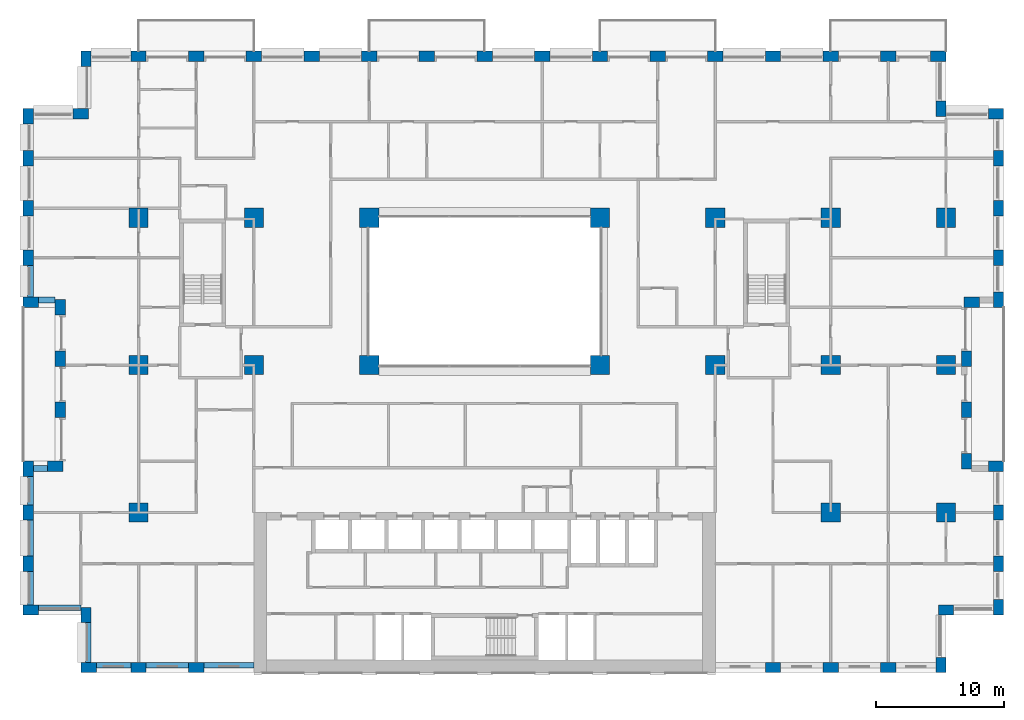
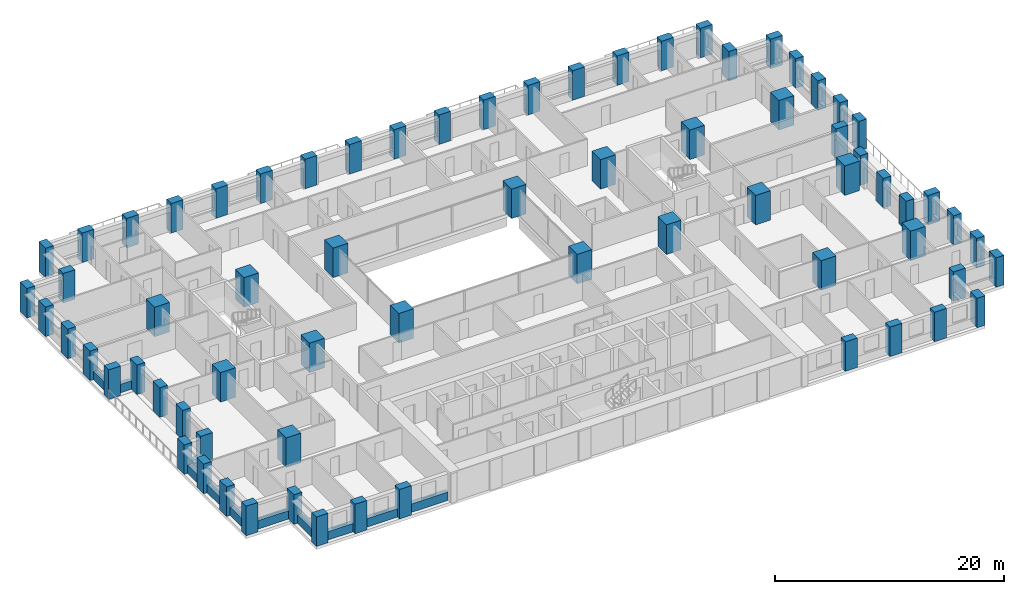
# One storey, part 1 of 19: 70 columns, 11 beams.
"""IFC4 building model written with IfcOpenShell, lengths in metres."""

from ifc_helpers import new_model, si_unit, direction, frame, origin, origin_2d, place, context, subcontext, project, spatial, rectangle, extrude, material, material_profile, profile_set, type_object, element, save


model = new_model("IFC4")

# Units and contexts
model_context = context("Model", 3, precision=1e-05, world=origin(), true_north=direction((0.0, 1.0)))
body_context = subcontext(model_context, "Body", "Model", "MODEL_VIEW")
ifc_project = project(units=[si_unit("LENGTHUNIT", "METRE"), si_unit("AREAUNIT", "SQUARE_METRE"), si_unit("VOLUMEUNIT", "CUBIC_METRE"), si_unit("PLANEANGLEUNIT", "RADIAN"), si_unit("MASSUNIT", "GRAM", prefix="KILO")], contexts=[model_context])

# Site, building, storey
site_placement = place(None, origin())
site = spatial("IfcSite", under=ifc_project, at=site_placement, CompositionType="ELEMENT")
building_placement = place(site_placement, origin())
building = spatial("IfcBuilding", under=site, at=building_placement, Name="Brigalow Station Residences", CompositionType="ELEMENT")
storey_placement = place(building_placement, frame((0.0, 0.0, 32.10009765625)))
storey = spatial("IfcBuildingStorey", under=building, at=storey_placement, Name="L08", CompositionType="ELEMENT", Elevation=32.10009765625)

# Columns
ifc_material_1 = material(Name="Concrete C80", Category="concrete")
ifc_material_profile_1 = material_profile(ifc_material_1, rectangle(XDim=1.5, YDim=1.5, at=origin_2d()), Name="RC1500x1500")
ifc_profile_set_1 = profile_set([ifc_material_profile_1], Name="Concrete C80")
column_type_1 = type_object("IfcColumnType", Name="COLUMN 1500x1500 C80", PredefinedType="COLUMN", material=ifc_profile_set_1)
for number, where, z_axis, x_axis, name in (
    (1, (9.0, 24.0, 0.0), (0.0, 0.0, 1.0), (1.0, 0.0, 0.0), "COLUMN C1 L08"),
    (2, (18.0, 24.0, 0.0), (0.0, 0.0, 1.0), (1.0, 0.0, 0.0), "COLUMN C2 L08"),
    (3, (27.0, 24.0, 0.0), (0.0, 0.0, 1.0), (1.0, 0.0, 0.0), "COLUMN C3 L08"),
    (4, (45.0, 24.0, 0.0), (0.0, 0.0, 1.0), (1.0, 0.0, 0.0), "COLUMN C5 L08"),
    (5, (54.0, 24.0, 0.0), (0.0, 0.0, 1.0), (1.0, 0.0, 0.0), "COLUMN C6 L08"),
    (6, (63.0, 24.0, 0.0), (0.0, 0.0, 1.0), (1.0, 0.0, 0.0), "COLUMN C7 L08"),
    (7, (72.0, 24.0, 0.0), (0.0, 0.0, 1.0), (1.0, 0.0, 0.0), "COLUMN C8 L08"),
    (8, (9.0, 35.5, 0.0), (0.0, 0.0, 1.0), (1.0, 0.0, 0.0), "COLUMN D1 L08"),
    (9, (18.0, 35.5, 0.0), (0.0, 0.0, 1.0), (1.0, 0.0, 0.0), "COLUMN D2 L08"),
    (10, (27.0, 35.5, 0.0), (0.0, 0.0, 1.0), (1.0, 0.0, 0.0), "COLUMN D3 L08"),
    (11, (45.0, 35.5, 0.0), (0.0, 0.0, 1.0), (1.0, 0.0, 0.0), "COLUMN D5 L08"),
    (12, (54.0, 35.5, 0.0), (0.0, 0.0, 1.0), (1.0, 0.0, 0.0), "COLUMN D6 L08"),
    (13, (63.0, 35.5, 0.0), (0.0, 0.0, 1.0), (1.0, 0.0, 0.0), "COLUMN D7 L08"),
    (14, (72.0, 35.5, 0.0), (0.0, 0.0, 1.0), (1.0, 0.0, 0.0), "COLUMN D8 L08"),
    (15, (9.0, 12.5, 0.0), (0.0, 0.0, 1.0), (1.0, 0.0, 0.0), "COLUMN B1 L08"),
    (16, (63.0, 12.5, 0.0), (0.0, 0.0, 1.0), (1.0, 0.0, 0.0), "COLUMN B7 L08"),
    (17, (72.0, 12.5, 0.0), (0.0, 0.0, 1.0), (1.0, 0.0, 0.0), "COLUMN B8 L08"),
):
    element("IfcColumn", number, at=place(storey_placement, frame(where, z_axis=z_axis, x_axis=x_axis)), inside=storey, type_object=column_type_1, Name=name, PredefinedType="COLUMN", context=body_context, shape_type="SweptSolid", body=[
        extrude(rectangle(XDim=1.5, YDim=1.5, at=origin_2d()), origin(), (0.0, 0.0, 1.0), 3.14990234375),
    ])
ifc_material_2 = material(Name="Concrete C80", Category="concrete")
ifc_material_profile_2 = material_profile(ifc_material_2, rectangle(XDim=1.199951171875, YDim=0.800048828125, at=origin_2d()), Name="RC1200x800")
ifc_profile_set_2 = profile_set([ifc_material_profile_2], Name="Concrete C80")
column_type_2 = type_object("IfcColumnType", Name="PIER 1200x800 C80", PredefinedType="USERDEFINED", material=ifc_profile_set_2)
for number, where, z_axis, x_axis, name in (
    (18, (5.10009765625, 0.39990234375, 0.0), (0.0, 0.0, 1.0), (1.0, 0.0, 0.0), "PIER S-1 L08"),
    (19, (9.0, 0.39990234375, 0.0), (0.0, 0.0, 1.0), (1.0, 0.0, 0.0), "PIER S-2 L08"),
    (20, (13.5, 0.39990234375, 0.0), (0.0, 0.0, 1.0), (1.0, 0.0, 0.0), "PIER S-3 L08"),
    (21, (58.5, 0.39990234375, 0.0), (0.0, 0.0, 1.0), (1.0, 0.0, 0.0), "PIER S-13 L08"),
    (22, (63.0, 0.39990234375, 0.0), (0.0, 0.0, 1.0), (1.0, 0.0, 0.0), "PIER S-14 L08"),
    (23, (67.5, 0.39990234375, 0.0), (0.0, 0.0, 1.0), (1.0, 0.0, 0.0), "PIER S-15 L08"),
    (24, (71.60009765625, 0.60009765625, 0.0), (0.0, 0.0, 1.0), (0.0, 1.0, 0.0), "PIER SE1-1 L08"),
    (25, (72.0, 4.89990234375, 0.0), (0.0, 0.0, 1.0), (1.0, 0.0, 0.0), "PIER SE2-1 L08"),
    (26, (76.10009765625, 5.10009765625, 0.0), (0.0, 0.0, 1.0), (0.0, 1.0, 0.0), "PIER E1-1 L08"),
    (27, (76.10009765625, 8.5, 0.0), (0.0, 0.0, 1.0), (0.0, 1.0, 0.0), "PIER E1-2 L08"),
    (28, (76.10009765625, 12.5, 0.0), (0.0, 0.0, 1.0), (0.0, 1.0, 0.0), "PIER E1-3 L08"),
    (29, (75.89990234375, 16.10009765625, 0.0), (0.0, 0.0, 1.0), (-1.0, 0.0, 0.0), "PIER EL1-1 L08"),
    (30, (73.60009765625, 16.5, 0.0), (0.0, 0.0, 1.0), (0.0, 1.0, 0.0), "PIER EL2-1 L08"),
    (31, (73.60009765625, 20.5, 0.0), (0.0, 0.0, 1.0), (0.0, 1.0, 0.0), "PIER EL2-2 L08"),
    (32, (73.60009765625, 24.5, 0.0), (0.0, 0.0, 1.0), (0.0, 1.0, 0.0), "PIER EL2-3 L08"),
    (33, (74.0, 28.89990234375, 0.0), (0.0, 0.0, 1.0), (1.0, 0.0, 0.0), "PIER EL3-1 L08"),
    (34, (76.10009765625, 29.10009765625, 0.0), (0.0, 0.0, 1.0), (0.0, 1.0, 0.0), "PIER E2-1 L08"),
    (35, (76.10009765625, 32.375, 0.0), (0.0, 0.0, 1.0), (0.0, 1.0, 0.0), "PIER E2-2 L08"),
    (36, (76.10009765625, 36.25, 0.0), (0.0, 0.0, 1.0), (0.0, 1.0, 0.0), "PIER E2-3 L08"),
    (37, (76.10009765625, 40.125, 0.0), (0.0, 0.0, 1.0), (0.0, 1.0, 0.0), "PIER E2-4 L08"),
    (38, (75.89990234375, 43.60009765625, 0.0), (0.0, 0.0, 1.0), (-1.0, 0.0, 0.0), "PIER NE1-1 L08"),
    (39, (71.60009765625, 44.0, 0.0), (0.0, 0.0, 1.0), (0.0, 1.0, 0.0), "PIER NE2-1 L08"),
    (40, (71.39990234375, 48.10009765625, 0.0), (0.0, 0.0, 1.0), (-1.0, 0.0, 0.0), "PIER N-1 L08"),
    (41, (67.5, 48.10009765625, 0.0), (0.0, 0.0, 1.0), (-1.0, 0.0, 0.0), "PIER N-2 L08"),
    (42, (63.0, 48.10009765625, 0.0), (0.0, 0.0, 1.0), (-1.0, 0.0, 0.0), "PIER N-3 L08"),
    (43, (58.5, 48.10009765625, 0.0), (0.0, 0.0, 1.0), (-1.0, 0.0, 0.0), "PIER N-4 L08"),
    (44, (54.0, 48.10009765625, 0.0), (0.0, 0.0, 1.0), (-1.0, 0.0, 0.0), "PIER N-5 L08"),
    (45, (49.5, 48.10009765625, 0.0), (0.0, 0.0, 1.0), (-1.0, 0.0, 0.0), "PIER N-6 L08"),
    (46, (45.0, 48.10009765625, 0.0), (0.0, 0.0, 1.0), (-1.0, 0.0, 0.0), "PIER N-7 L08"),
    (47, (40.5, 48.10009765625, 0.0), (0.0, 0.0, 1.0), (-1.0, 0.0, 0.0), "PIER N-8 L08"),
    (48, (36.0, 48.10009765625, 0.0), (0.0, 0.0, 1.0), (-1.0, 0.0, 0.0), "PIER N-9 L08"),
    (49, (31.5, 48.10009765625, 0.0), (0.0, 0.0, 1.0), (-1.0, 0.0, 0.0), "PIER N-10 L08"),
    (50, (27.0, 48.10009765625, 0.0), (0.0, 0.0, 1.0), (-1.0, 0.0, 0.0), "PIER N-11 L08"),
    (51, (22.5, 48.10009765625, 0.0), (0.0, 0.0, 1.0), (-1.0, 0.0, 0.0), "PIER N-12 L08"),
    (52, (18.0, 48.10009765625, 0.0), (0.0, 0.0, 1.0), (-1.0, 0.0, 0.0), "PIER N-13 L08"),
    (53, (13.5, 48.10009765625, 0.0), (0.0, 0.0, 1.0), (-1.0, 0.0, 0.0), "PIER N-14 L08"),
    (54, (9.0, 48.10009765625, 0.0), (0.0, 0.0, 1.0), (-1.0, 0.0, 0.0), "PIER N-15 L08"),
    (55, (4.89990234375, 47.89990234375, 0.0), (0.0, 0.0, 1.0), (0.0, -1.0, 0.0), "PIER NW1-1 L08"),
    (56, (4.5, 43.60009765625, 0.0), (0.0, 0.0, 1.0), (-1.0, 0.0, 0.0), "PIER NW2-1 L08"),
    (57, (0.39990234375, 43.39990234375, 0.0), (0.0, 0.0, 1.0), (0.0, -1.0, 0.0), "PIER W2-1 L08"),
    (58, (0.39990234375, 40.125, 0.0), (0.0, 0.0, 1.0), (0.0, -1.0, 0.0), "PIER W2-2 L08"),
    (59, (0.39990234375, 36.25, 0.0), (0.0, 0.0, 1.0), (0.0, -1.0, 0.0), "PIER W2-3 L08"),
    (60, (0.39990234375, 32.375, 0.0), (0.0, 0.0, 1.0), (0.0, -1.0, 0.0), "PIER W2-4 L08"),
    (61, (0.60009765625, 28.89990234375, 0.0), (0.0, 0.0, 1.0), (1.0, 0.0, 0.0), "PIER WL1-1 L08"),
    (62, (2.89990234375, 28.5, 0.0), (0.0, 0.0, 1.0), (0.0, -1.0, 0.0), "PIER WL2-1 L08"),
    (63, (2.89990234375, 24.5, 0.0), (0.0, 0.0, 1.0), (0.0, -1.0, 0.0), "PIER WL2-2 L08"),
    (64, (2.89990234375, 20.5, 0.0), (0.0, 0.0, 1.0), (0.0, -1.0, 0.0), "PIER WL2-3 L08"),
    (65, (2.5, 16.10009765625, 0.0), (0.0, 0.0, 1.0), (-1.0, 0.0, 0.0), "PIER WL3-1 L08"),
    (66, (0.39990234375, 15.89990234375, 0.0), (0.0, 0.0, 1.0), (0.0, -1.0, 0.0), "PIER W1-1 L08"),
    (67, (0.39990234375, 12.5, 0.0), (0.0, 0.0, 1.0), (0.0, -1.0, 0.0), "PIER W1-2 L08"),
    (68, (0.39990234375, 8.5, 0.0), (0.0, 0.0, 1.0), (0.0, -1.0, 0.0), "PIER W1-3 L08"),
    (69, (0.60009765625, 4.89990234375, 0.0), (0.0, 0.0, 1.0), (1.0, 0.0, 0.0), "PIER SW1-1 L08"),
    (70, (4.89990234375, 4.5, 0.0), (0.0, 0.0, 1.0), (0.0, -1.0, 0.0), "PIER SW2-1 L08"),
):
    element("IfcColumn", number, at=place(storey_placement, frame(where, z_axis=z_axis, x_axis=x_axis)), inside=storey, type_object=column_type_2, Name=name, ObjectType="PIER", PredefinedType="USERDEFINED", context=body_context, shape_type="SweptSolid", body=[
        extrude(rectangle(XDim=1.199951171875, YDim=0.800048828125, at=origin_2d()), origin(), (0.0, 0.0, 1.0), 3.14990234375),
    ])

# Beams
ifc_material_3 = material(Name="Concrete C65", Category="concrete")
ifc_material_profile_3 = material_profile(ifc_material_3, rectangle(XDim=0.449951171875, YDim=0.89990234375, at=origin_2d()), Name="RC450x900")
ifc_profile_set_3 = profile_set([ifc_material_profile_3], Name="Concrete C65")
beam_type = type_object("IfcBeamType", Name="SPANDREL BEAM 450x900 C65", PredefinedType="SPANDREL", material=ifc_profile_set_3)
beam_1_placement = place(storey_placement, frame((5.699951171875, 0.574951171875, 0.449951171875), z_axis=(1.0, 0.0, 0.0), x_axis=(0.0, 1.0, 0.0)))
element("IfcBeam", 71, at=beam_1_placement, inside=storey, type_object=beam_type, Name="L08/spandrel/W-L08-1", PredefinedType="SPANDREL", context=body_context, shape_type="SweptSolid", body=[
    extrude(rectangle(XDim=0.449951171875, YDim=0.89990234375, at=origin_2d()), origin(), (0.0, 0.0, 1.0), 2.699951171875),
])
beam_2_placement = place(storey_placement, frame((9.60009765625, 0.574951171875, 0.449951171875), z_axis=(1.0, 0.0, 0.0), x_axis=(0.0, 1.0, 0.0)))
element("IfcBeam", 72, at=beam_2_placement, inside=storey, type_object=beam_type, Name="L08/spandrel/W-L08-2", PredefinedType="SPANDREL", context=body_context, shape_type="SweptSolid", body=[
    extrude(rectangle(XDim=0.449951171875, YDim=0.89990234375, at=origin_2d()), origin(), (0.0, 0.0, 1.0), 3.2998046875),
])
beam_3_placement = place(storey_placement, frame((14.10009765625, 0.574951171875, 0.449951171875), z_axis=(1.0, 0.0, 0.0), x_axis=(0.0, 1.0, 0.0)))
element("IfcBeam", 73, at=beam_3_placement, inside=storey, type_object=beam_type, Name="L08/spandrel/W-L08-3", PredefinedType="SPANDREL", context=body_context, shape_type="SweptSolid", body=[
    extrude(rectangle(XDim=0.449951171875, YDim=0.89990234375, at=origin_2d()), origin(), (0.0, 0.0, 1.0), 3.89990234375),
])
beam_4_placement = place(storey_placement, frame((0.574951171875, 31.77490234375, 0.449951171875), z_axis=(0.0, -1.0, 0.0), x_axis=(1.0, 0.0, 0.0)))
element("IfcBeam", 74, at=beam_4_placement, inside=storey, type_object=beam_type, Name="L08/spandrel/W-L08-45", PredefinedType="SPANDREL", context=body_context, shape_type="SweptSolid", body=[
    extrude(rectangle(XDim=0.449951171875, YDim=0.89990234375, at=origin_2d()), origin(), (0.0, 0.0, 1.0), 2.474853515625),
])
beam_5_placement = place(storey_placement, frame((1.199951171875, 29.074951171875, 0.449951171875), z_axis=(1.0, 0.0, 0.0), x_axis=(0.0, 1.0, 0.0)))
element("IfcBeam", 75, at=beam_5_placement, inside=storey, type_object=beam_type, Name="L08/spandrel/W-L08-46", PredefinedType="SPANDREL", context=body_context, shape_type="SweptSolid", body=[
    extrude(rectangle(XDim=0.449951171875, YDim=0.89990234375, at=origin_2d()), origin(), (0.0, 0.0, 1.0), 1.300048828125),
])
beam_6_placement = place(storey_placement, frame((1.89990234375, 15.925048828125, 0.449951171875), z_axis=(-1.0, 0.0, 0.0), x_axis=(0.0, -1.0, 0.0)))
element("IfcBeam", 76, at=beam_6_placement, inside=storey, type_object=beam_type, Name="L08/spandrel/W-L08-50", PredefinedType="SPANDREL", context=body_context, shape_type="SweptSolid", body=[
    extrude(rectangle(XDim=0.449951171875, YDim=0.89990234375, at=origin_2d()), origin(), (0.0, 0.0, 1.0), 1.099853515625),
])
beam_7_placement = place(storey_placement, frame((0.574951171875, 15.300048828125, 0.449951171875), z_axis=(0.0, -1.0, 0.0), x_axis=(1.0, 0.0, 0.0)))
element("IfcBeam", 77, at=beam_7_placement, inside=storey, type_object=beam_type, Name="L08/spandrel/W-L08-51", PredefinedType="SPANDREL", context=body_context, shape_type="SweptSolid", body=[
    extrude(rectangle(XDim=0.449951171875, YDim=0.89990234375, at=origin_2d()), origin(), (0.0, 0.0, 1.0), 2.199951171875),
])
beam_8_placement = place(storey_placement, frame((0.574951171875, 11.89990234375, 0.449951171875), z_axis=(0.0, -1.0, 0.0), x_axis=(1.0, 0.0, 0.0)))
element("IfcBeam", 78, at=beam_8_placement, inside=storey, type_object=beam_type, Name="L08/spandrel/W-L08-52", PredefinedType="SPANDREL", context=body_context, shape_type="SweptSolid", body=[
    extrude(rectangle(XDim=0.449951171875, YDim=0.89990234375, at=origin_2d()), origin(), (0.0, 0.0, 1.0), 2.7998046875),
])
beam_9_placement = place(storey_placement, frame((0.574951171875, 7.89990234375, 0.449951171875), z_axis=(0.0, -1.0, 0.0), x_axis=(1.0, 0.0, 0.0)))
element("IfcBeam", 79, at=beam_9_placement, inside=storey, type_object=beam_type, Name="L08/spandrel/W-L08-53", PredefinedType="SPANDREL", context=body_context, shape_type="SweptSolid", body=[
    extrude(rectangle(XDim=0.449951171875, YDim=0.89990234375, at=origin_2d()), origin(), (0.0, 0.0, 1.0), 2.599853515625),
])
beam_10_placement = place(storey_placement, frame((1.199951171875, 5.074951171875, 0.449951171875), z_axis=(1.0, 0.0, 0.0), x_axis=(0.0, 1.0, 0.0)))
element("IfcBeam", 80, at=beam_10_placement, inside=storey, type_object=beam_type, Name="L08/spandrel/W-L08-54", PredefinedType="SPANDREL", context=body_context, shape_type="SweptSolid", body=[
    extrude(rectangle(XDim=0.449951171875, YDim=0.89990234375, at=origin_2d()), origin(), (0.0, 0.0, 1.0), 3.300048828125),
])
beam_11_placement = place(storey_placement, frame((5.074951171875, 3.89990234375, 0.449951171875), z_axis=(0.0, -1.0, 0.0), x_axis=(1.0, 0.0, 0.0)))
element("IfcBeam", 81, at=beam_11_placement, inside=storey, type_object=beam_type, Name="L08/spandrel/W-L08-55", PredefinedType="SPANDREL", context=body_context, shape_type="SweptSolid", body=[
    extrude(rectangle(XDim=0.449951171875, YDim=0.89990234375, at=origin_2d()), origin(), (0.0, 0.0, 1.0), 3.099853515625),
])

save(model, "model.ifc")
